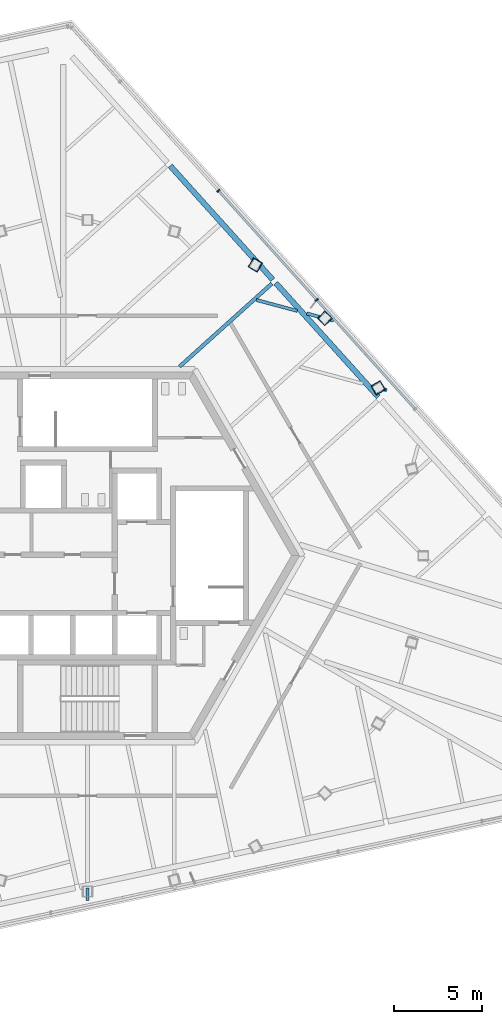
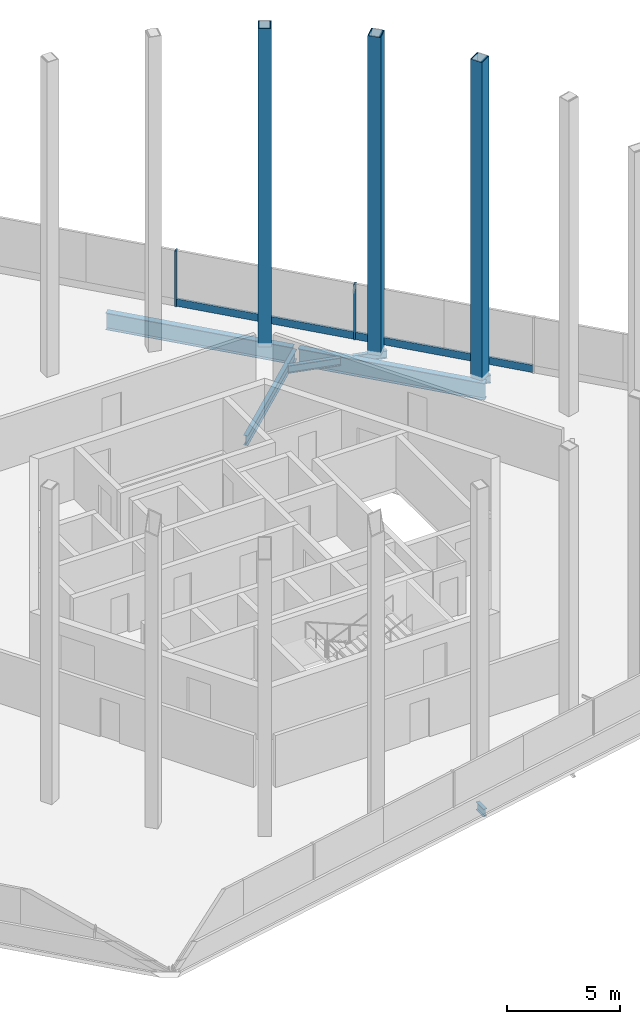
# One storey, part 5 of 11: 7 beams, 7 members, 1 element without a shape of its own.
"""IFC4 building model written with IfcOpenShell, lengths in metres."""

from ifc_helpers import new_model, si_unit, direction, frame, origin, origin_2d, place, context, subcontext, project, spatial, rectangle, hollow_rectangle, i_section, extrude, source, transform, mapped, material, material_profile, profile_set, type_object, element, aggregate, save


model = new_model("IFC4")

# Units and contexts
model_context = context("Model", 3, precision=1e-05, world=origin(), true_north=direction((0.0, 1.0)))
body_context = subcontext(model_context, "Body", "Model", "MODEL_VIEW")
ifc_project = project(units=[si_unit("LENGTHUNIT", "METRE"), si_unit("AREAUNIT", "SQUARE_METRE"), si_unit("VOLUMEUNIT", "CUBIC_METRE"), si_unit("PLANEANGLEUNIT", "RADIAN"), si_unit("MASSUNIT", "GRAM", prefix="KILO")], contexts=[model_context])

# Site, building, storey
site_placement = place(None, origin())
site = spatial("IfcSite", under=ifc_project, at=site_placement, CompositionType="ELEMENT")
building_placement = place(site_placement, origin())
building = spatial("IfcBuilding", under=site, at=building_placement, Name="Triune Harvest Tower", CompositionType="ELEMENT")
storey_placement = place(building_placement, frame((0.0, 0.0, 296.699951171875)))
storey = spatial("IfcBuildingStorey", under=building, at=storey_placement, Name="L78", CompositionType="ELEMENT", Elevation=296.699951171875)

# Beams
ifc_material_1 = material(Name="Steel ASTM A992 Gr 50", Category="steel")
ifc_material_profile_1 = material_profile(ifc_material_1, i_section(OverallWidth=0.180908203125, OverallDepth=0.41650390625, WebThickness=0.010986328125, FlangeThickness=0.01806640625, at=origin_2d()), Name="W16x57")
ifc_profile_set_1 = profile_set([ifc_material_profile_1], Name="Steel ASTM A992 Gr 50")
beam_type_1 = type_object("IfcBeamType", Name="CJ-1 Crown deck joist W16x57", PredefinedType="JOIST", material=ifc_profile_set_1)
beam_1_placement = place(storey_placement, frame((12.411376953125, 13.709228515625, -0.408203125), z_axis=(0.965945955713, -0.258743909382, 0.0), x_axis=(0.258743909382, 0.965945955713, 0.0)))
element("IfcBeam", 1, at=beam_1_placement, inside=storey, type_object=beam_type_1, Name="beam/L78/CR5", PredefinedType="JOIST", context=body_context, shape_type="SweptSolid", body=[
    extrude(i_section(OverallWidth=0.180908203125, OverallDepth=0.41650390625, WebThickness=0.010986328125, FlangeThickness=0.01806640625, at=origin_2d()), origin(), (0.0, 0.0, 1.0), 1.559814453125),
])
beam_2_placement = place(storey_placement, frame((0.0, -18.8076171875, -0.408203125), z_axis=(0.0, -1.0, 0.0), x_axis=(1.0, 0.0, 0.0)))
element("IfcBeam", 2, at=beam_2_placement, inside=storey, type_object=beam_type_1, Name="beam/L78/CR21", PredefinedType="JOIST", context=body_context, shape_type="SweptSolid", body=[
    extrude(i_section(OverallWidth=0.180908203125, OverallDepth=0.41650390625, WebThickness=0.010986328125, FlangeThickness=0.01806640625, at=origin_2d()), origin(), (0.0, 0.0, 1.0), 0.6923828125),
])
ifc_material_2 = material(Name="Steel ASTM A992 Gr 50", Category="steel")
ifc_material_profile_2 = material_profile(ifc_material_2, i_section(OverallWidth=0.3046875, OverallDepth=0.914306640625, WebThickness=0.0166015625, FlangeThickness=0.02587890625, at=origin_2d()), Name="W36x160")
ifc_profile_set_2 = profile_set([ifc_material_profile_2], Name="Steel ASTM A992 Gr 50")
beam_type_2 = type_object("IfcBeamType", Name="SB-1 Spandrel beam W36x160", PredefinedType="SPANDREL", material=ifc_profile_set_2)
shared_shape_1 = source(origin(), body_context, "Body", "SweptSolid", [
    extrude(i_section(OverallWidth=0.3046875, OverallDepth=0.914306640625, WebThickness=0.0166015625, FlangeThickness=0.02587890625, at=origin_2d()), origin(), (0.0, 0.0, 1.0), 8.671630859375),
])
beam_3_placement = place(storey_placement, frame((16.45947265625, 8.985595703125, -0.6572265625), z_axis=(-0.669129593336, 0.743145737606, 0.0), x_axis=(-0.743145737606, -0.669129593336, 0.0)))
element("IfcBeam", 3, at=beam_3_placement, inside=storey, type_object=beam_type_2, Name="beam/L78/SB3", PredefinedType="SPANDREL", context=body_context, shape_type="MappedRepresentation", body=[
    mapped(shared_shape_1, transform((0.0, 0.0, 0.0), scale=1.0)),
])
shared_shape_2 = source(origin(), body_context, "Body", "SweptSolid", [
    extrude(i_section(OverallWidth=0.3046875, OverallDepth=0.914306640625, WebThickness=0.0166015625, FlangeThickness=0.02587890625, at=origin_2d()), origin(), (0.0, 0.0, 1.0), 8.67138671875),
])
beam_4_placement = place(storey_placement, frame((10.4853515625, 15.62060546875, -0.6572265625), z_axis=(-0.669128044683, 0.743147132013, 0.0), x_axis=(-0.743147132013, -0.669128044683, 0.0)))
element("IfcBeam", 4, at=beam_4_placement, inside=storey, type_object=beam_type_2, Name="beam/L78/SB4", PredefinedType="SPANDREL", context=body_context, shape_type="MappedRepresentation", body=[
    mapped(shared_shape_2, transform((0.0, 0.0, 0.0), scale=1.0)),
])
ifc_material_3 = material(Name="Steel ASTM A992 Gr 50", Category="steel")
ifc_material_profile_3 = material_profile(ifc_material_3, i_section(OverallWidth=0.2099609375, OverallDepth=0.535888671875, WebThickness=0.010986328125, FlangeThickness=0.017333984375, at=origin_2d()), Name="W21x68")
ifc_profile_set_3 = profile_set([ifc_material_profile_3], Name="Steel ASTM A992 Gr 50")
beam_type_3 = type_object("IfcBeamType", Name="JT-2 Floor joist W21x68", PredefinedType="JOIST", material=ifc_profile_set_3)
shared_shape_3 = source(origin(), body_context, "Body", "SweptSolid", [
    extrude(i_section(OverallWidth=0.2099609375, OverallDepth=0.535888671875, WebThickness=0.010986328125, FlangeThickness=0.017333984375, at=origin_2d()), origin(), (0.0, 0.0, 1.0), 7.035400390625),
])
beam_5_placement = place(storey_placement, frame((10.437255859375, 15.404541015625, -0.468017578125), z_axis=(-0.743147458893, -0.669127681643, 0.0), x_axis=(0.669127681643, -0.743147458893, 0.0)))
element("IfcBeam", 5, at=beam_5_placement, inside=storey, type_object=beam_type_3, Name="beam/L78/JT6", PredefinedType="JOIST", context=body_context, shape_type="MappedRepresentation", body=[
    mapped(shared_shape_3, transform((0.0, 0.0, 0.0), scale=1.0)),
])
shared_shape_4 = source(origin(), body_context, "Body", "SweptSolid", [
    extrude(i_section(OverallWidth=0.180908203125, OverallDepth=0.41650390625, WebThickness=0.010986328125, FlangeThickness=0.01806640625, at=origin_2d()), origin(), (0.0, 0.0, 1.0), 0.845458984375),
])
beam_6_placement = place(storey_placement, frame((16.120849609375, 9.58935546875, -0.408203125), z_axis=(0.965946762708, -0.258740896678, 0.0), x_axis=(0.258740896678, 0.965946762708, 0.0)))
element("IfcBeam", 6, at=beam_6_placement, inside=storey, type_object=beam_type_1, Name="beam/L78/CR3", PredefinedType="JOIST", context=body_context, shape_type="MappedRepresentation", body=[
    mapped(shared_shape_4, transform((0.0, 0.0, 0.0), scale=1.0)),
])
ifc_material_4 = material(Name="Steel ASTM A992 Gr 50", Category="steel")
ifc_material_profile_4 = material_profile(ifc_material_4, i_section(OverallWidth=0.180908203125, OverallDepth=0.41650390625, WebThickness=0.010986328125, FlangeThickness=0.01806640625, at=origin_2d()), Name="W16x57")
ifc_profile_set_4 = profile_set([ifc_material_profile_4], Name="Steel ASTM A992 Gr 50")
beam_type_4 = type_object("IfcBeamType", Name="JT-1 Floor joist W16x57", PredefinedType="JOIST", material=ifc_profile_set_4)
shared_shape_5 = source(origin(), body_context, "Body", "SweptSolid", [
    extrude(i_section(OverallWidth=0.180908203125, OverallDepth=0.41650390625, WebThickness=0.010986328125, FlangeThickness=0.01806640625, at=origin_2d()), origin(), (0.0, 0.0, 1.0), 2.392333984375),
])
beam_7_placement = place(storey_placement, frame((11.870849609375, 13.85400390625, -0.408203125), z_axis=(-0.965903859248, 0.258901013303, 0.0), x_axis=(-0.258901013303, -0.965903859248, 0.0)))
element("IfcBeam", 7, at=beam_7_placement, inside=storey, type_object=beam_type_4, Name="beam/L78/CR6", PredefinedType="JOIST", context=body_context, shape_type="MappedRepresentation", body=[
    mapped(shared_shape_5, transform((0.0, 0.0, 0.0), scale=1.0)),
])

# Curtain wall, members
ifc_material_5 = material(Name="Aluminium bronze anodised", Category="aluminium")
curtain_wall_type = type_object("IfcCurtainWallType", Name="CW-5 Plant louvre wall", PredefinedType="NOTDEFINED", material=ifc_material_5)
curtain_wall_placement = place(storey_placement, origin())
curtain_wall = element("IfcCurtainWall", 8, at=curtain_wall_placement, inside=storey, type_object=curtain_wall_type, Name="CW-5 CP-F1 L78 run 1")
ifc_material_6 = material(Name="Aluminium bronze anodised", Category="aluminium")
ifc_material_profile_5 = material_profile(ifc_material_6, rectangle(XDim=0.199951171875, YDim=0.080078125, at=origin_2d()), Name="MU-5 mullion 80 x 200")
ifc_profile_set_5 = profile_set([ifc_material_profile_5], Name="Aluminium bronze anodised")
member_type_1 = type_object("IfcMemberType", Name="MU-5 mullion 80 x 200", PredefinedType="MULLION", material=ifc_profile_set_5)
shared_shape_6 = source(origin(), body_context, "Body", "SweptSolid", [
    extrude(rectangle(XDim=0.199951171875, YDim=0.080078125, at=origin_2d()), origin(), (0.0, 0.0, 1.0), 3.0),
])
member_1_placement = place(storey_placement, frame((12.974609375, 14.478515625, 0.0), z_axis=(0.0, 0.0, 1.0), x_axis=(-0.743144068463, -0.669131447108, 0.0)))
member_1 = element("IfcMember", 9, at=member_1_placement, type_object=member_type_1, Name="CW-5 mullion CP-F1 1.7", PredefinedType="MULLION", context=body_context, shape_type="MappedRepresentation", body=[
    mapped(shared_shape_6, transform((0.0, 0.0, 0.0), scale=1.0)),
])
member_2_placement = place(storey_placement, frame((7.4130859375, 20.655029296875, 0.0), z_axis=(0.0, 0.0, 1.0), x_axis=(-0.743144068463, -0.669131447108, 0.0)))
member_2 = element("IfcMember", 10, at=member_2_placement, type_object=member_type_1, Name="CW-5 mullion CP-F1 1.9", PredefinedType="MULLION", context=body_context, shape_type="MappedRepresentation", body=[
    mapped(shared_shape_6, transform((0.0, 0.0, 0.0), scale=1.0)),
])
ifc_material_7 = material(Name="Aluminium bronze anodised", Category="aluminium")
ifc_material_profile_6 = material_profile(ifc_material_7, rectangle(XDim=0.10009765625, YDim=0.39990234375, at=origin_2d()), Name="TR-5 transom 100 x 400")
ifc_profile_set_6 = profile_set([ifc_material_profile_6], Name="Aluminium bronze anodised")
member_type_2 = type_object("IfcMemberType", Name="TR-5 transom 100 x 400", PredefinedType="USERDEFINED", material=ifc_profile_set_6)
shared_shape_7 = source(origin(), body_context, "Body", "SweptSolid", [
    extrude(rectangle(XDim=0.10009765625, YDim=0.39990234375, at=origin_2d()), origin(), (0.0, 0.0, 1.0), 8.2314453125),
])
member_3_placement = place(storey_placement, frame((18.50927734375, 8.33154296875, 0.199951171875), z_axis=(-0.669122027567, 0.743152549766, 0.0), x_axis=(-0.743152549766, -0.669122027567, 0.0)))
member_3 = element("IfcMember", 11, at=member_3_placement, type_object=member_type_2, Name="CW-5 transom CP-F1 1.3", ObjectType="TRANSOM", PredefinedType="USERDEFINED", context=body_context, shape_type="MappedRepresentation", body=[
    mapped(shared_shape_7, transform((0.0, 0.0, 0.0), scale=1.0)),
])
shared_shape_8 = source(origin(), body_context, "Body", "SweptSolid", [
    extrude(rectangle(XDim=0.10009765625, YDim=0.39990234375, at=origin_2d()), origin(), (0.0, 0.0, 1.0), 8.231689453125),
])
member_4_placement = place(storey_placement, frame((12.94775390625, 14.508056640625, 0.199951171875), z_axis=(-0.669107279204, 0.743165828679, 0.0), x_axis=(-0.743165828679, -0.669107279204, 0.0)))
member_4 = element("IfcMember", 12, at=member_4_placement, type_object=member_type_2, Name="CW-5 transom CP-F1 1.4", ObjectType="TRANSOM", PredefinedType="USERDEFINED", context=body_context, shape_type="MappedRepresentation", body=[
    mapped(shared_shape_8, transform((0.0, 0.0, 0.0), scale=1.0)),
])
aggregate(curtain_wall, [member_1, member_2, member_3, member_4])

# Members
ifc_material_8 = material(Name="Steel ASTM A572 Gr 50", Category="steel")
ifc_material_profile_7 = material_profile(ifc_material_8, hollow_rectangle(XDim=0.60009765625, YDim=0.60009765625, WallThickness=0.030029296875, at=origin_2d()), Name="Box 600x600x30")
ifc_profile_set_7 = profile_set([ifc_material_profile_7], Name="Steel ASTM A572 Gr 50")
member_type_3 = type_object("IfcMemberType", Name="CF-1 Crown frame column Box 600x600x30", PredefinedType="POST", material=ifc_profile_set_7)
shared_shape_9 = source(origin(), body_context, "Body", "SweptSolid", [
    extrude(hollow_rectangle(XDim=0.60009765625, YDim=0.60009765625, WallThickness=0.030029296875, at=origin_2d()), origin(), (0.0, 0.0, 1.0), 17.175048828125),
])
for number, where, z_axis, x_axis, name in (
    (13, (16.45458984375, 9.5, -0.199951171875), (0.0, 0.0, 1.0), (-0.5, 0.866025403784, 0.0), "CROWN FRAME post 3"),
    (14, (13.43505859375, 13.43505859375, -0.199951171875), (0.0, 0.0, 1.0), (-0.707106781187, 0.707106781187, 0.0), "CROWN FRAME post 4"),
    (15, (9.5, 16.45458984375, -0.199951171875), (0.0, 0.0, 1.0), (-0.866025403784, 0.5, 0.0), "CROWN FRAME post 5"),
):
    element("IfcMember", number, at=place(storey_placement, frame(where, z_axis=z_axis, x_axis=x_axis)), inside=storey, type_object=member_type_3, Name=name, PredefinedType="POST", context=body_context, shape_type="MappedRepresentation", body=[
        mapped(shared_shape_9, transform((0.0, 0.0, 0.0), scale=1.0)),
    ])

save(model, "model.ifc")
